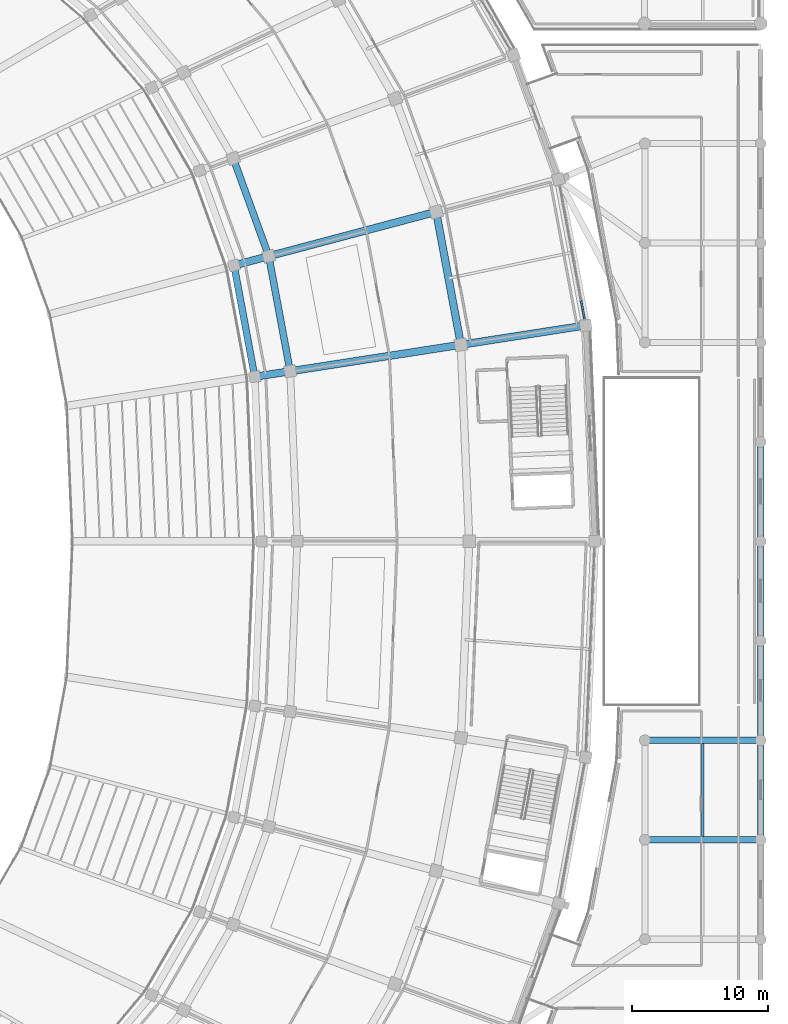
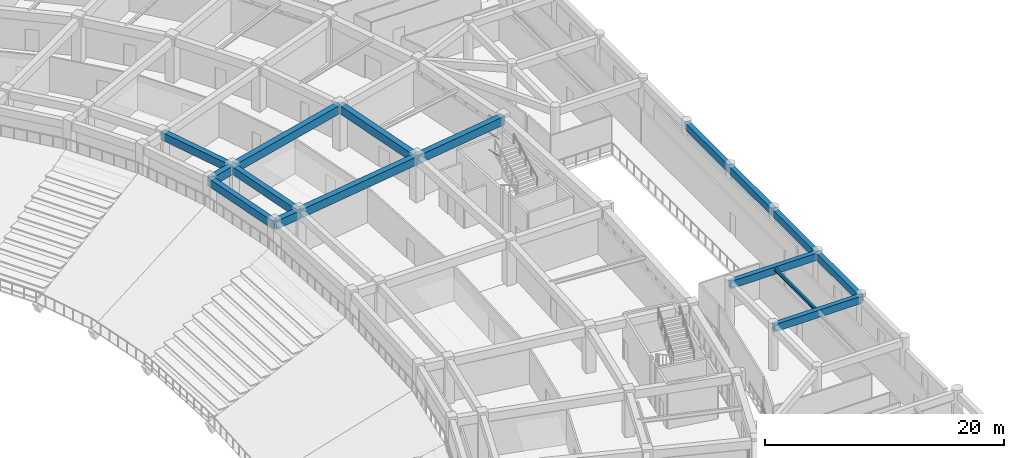
# One storey, part 50 of 152: 16 beams, 3 members, 1 element without a shape of its own.
"""IFC4 building model written with IfcOpenShell, lengths in metres."""

import ifcopenshell
import ifcopenshell.guid

model = None  # the IFC model being written
_history = None  # IfcOwnerHistory: only IFC2X3 demands one
_inside = {}  # id of a spatial element -> (the spatial element, [elements in it])
_under = {}  # id of a project, library or spatial element -> (it, [spatial elements below it])
_declared = {}  # id of a project -> (the project, [libraries it declares])
_typed = {}  # id of a type object -> (the type object, [elements of that type])
_made_of = {}  # id of a material, layer set ... -> (it, [elements and type objects made of it])


def new_model(schema):
    """Start an empty IFC model of exactly this schema.

    Asked for "IFC4X3", IfcOpenShell would pick the latest addendum, in which some entities
    have other attributes; the version numbers below select the first issue.
    IFC2X3 requires an IfcOwnerHistory on every rooted entity: one is made here for all.
    """
    global model, _history
    if schema == "IFC4X3":
        model = ifcopenshell.file(schema_version=(4, 3, 0, 0))
    else:
        model = ifcopenshell.file(schema=schema)
    _inside.clear()
    _under.clear()
    _declared.clear()
    _typed.clear()
    _made_of.clear()
    _history = None
    if model.schema == "IFC2X3":
        org = make("IfcOrganization", Name="unknown")
        user = make(
            "IfcPersonAndOrganization",
            ThePerson=make("IfcPerson", FamilyName="unknown"),
            TheOrganization=org,
        )
        app = make(
            "IfcApplication",
            ApplicationDeveloper=org,
            Version="unknown",
            ApplicationFullName="unknown",
            ApplicationIdentifier="unknown",
        )
        _history = make(
            "IfcOwnerHistory",
            OwningUser=user,
            OwningApplication=app,
            ChangeAction="ADDED",
            CreationDate=0,
        )
    return model


def make(cls, **values):
    """One entity of the class cls with the attributes given. An attribute that is None is left unset."""
    return model.create_entity(
        cls, **{name: value for name, value in values.items() if value is not None}
    )


def rooted(cls, **values):
    """An entity with a GlobalId (a new one), such as an element, a storey or a relation."""
    return make(cls, GlobalId=ifcopenshell.guid.new(), OwnerHistory=_history, **values)


def si_unit(unit_type, name, prefix=None):
    """IfcSIUnit, for example si_unit("LENGTHUNIT", "METRE", prefix="MILLI")."""
    return make("IfcSIUnit", UnitType=unit_type, Prefix=prefix, Name=name)


def assignment(units):
    """IfcUnitAssignment: the units of a project."""
    return None if units is None else make("IfcUnitAssignment", Units=units)


def point(xyz):
    """IfcCartesianPoint."""
    return None if xyz is None else make("IfcCartesianPoint", Coordinates=xyz)


def direction(xyz):
    """IfcDirection."""
    return None if xyz is None else make("IfcDirection", DirectionRatios=xyz)


def frame(location, z_axis=None, x_axis=None):
    """IfcAxis2Placement3D, a coordinate frame: its origin and axes. An axis left out is left unset."""
    return make(
        "IfcAxis2Placement3D",
        Location=point(location),
        Axis=direction(z_axis),
        RefDirection=direction(x_axis),
    )


def frame_2d(location, x_axis=None):
    """IfcAxis2Placement2D, a coordinate frame in the plane: its origin and x axis."""
    return make(
        "IfcAxis2Placement2D", Location=point(location), RefDirection=direction(x_axis)
    )


def origin():
    """The frame at (0, 0, 0) with its axes left unset."""
    return frame((0.0, 0.0, 0.0))


def origin_2d():
    """The frame at (0, 0) in the plane with its x axis left unset."""
    return frame_2d((0.0, 0.0))


def place(relative_to, where):
    """IfcLocalPlacement: puts the frame where relative to a parent placement (None: the world)."""
    return make(
        "IfcLocalPlacement", PlacementRelTo=relative_to, RelativePlacement=where
    )


def context(
    kind, dimensions, precision=None, world=None, true_north=None, identifier=None
):
    """IfcGeometricRepresentationContext, for example the 3D "Model" context."""
    return make(
        "IfcGeometricRepresentationContext",
        ContextIdentifier=identifier,
        ContextType=kind,
        CoordinateSpaceDimension=dimensions,
        Precision=precision,
        WorldCoordinateSystem=world,
        TrueNorth=true_north,
    )


def subcontext(parent, identifier, kind, view, scale=None):
    """IfcGeometricRepresentationSubContext, for example "Body" below "Model"."""
    return make(
        "IfcGeometricRepresentationSubContext",
        ContextIdentifier=identifier,
        ContextType=kind,
        ParentContext=parent,
        TargetScale=scale,
        TargetView=view,
    )


def project(units=None, contexts=None):
    """IfcProject with its units and contexts."""
    return rooted(
        "IfcProject",
        Name="project",
        RepresentationContexts=contexts,
        UnitsInContext=assignment(units),
    )


def spatial(cls, under=None, at=None, **own):
    """A site, building, storey or space (cls), placed at a placement, below another one or the project."""
    s = rooted(cls, ObjectPlacement=at, **own)
    if under is not None:
        _under.setdefault(under.id(), (under, []))[1].append(s)
    return s


def profile(cls, at=None, kind="AREA", **sizes):
    """A parametric profile (cls). Its sizes go by their IFC names, for example OverallWidth=200.0."""
    return make(cls, ProfileType=kind, Position=at, **sizes)


def rectangle(**sizes):
    """IfcRectangleProfileDef."""
    return profile("IfcRectangleProfileDef", **sizes)


def i_section(**sizes):
    """IfcIShapeProfileDef."""
    return profile("IfcIShapeProfileDef", **sizes)


def extrude(swept, where, along, depth):
    """IfcExtrudedAreaSolid: the profile swept, set in the frame where, extruded along a direction by depth."""
    return make(
        "IfcExtrudedAreaSolid",
        SweptArea=swept,
        Position=where,
        ExtrudedDirection=direction(along),
        Depth=depth,
    )


def shape(context_of_items, identifier, shape_type, items):
    """IfcShapeRepresentation: the items that make up one representation, for example the "Body"."""
    return make(
        "IfcShapeRepresentation",
        ContextOfItems=context_of_items,
        RepresentationIdentifier=identifier,
        RepresentationType=shape_type,
        Items=items,
    )


def material(Name=None, Category=None):
    """IfcMaterial."""
    return make("IfcMaterial", Name=Name, Category=Category)


def layer(
    of_material, thickness, ventilated=None, Name=None, Category=None, Priority=None
):
    """IfcMaterialLayer: one layer of a wall or slab, of a material (None: an air gap)."""
    return make(
        "IfcMaterialLayer",
        Material=of_material,
        LayerThickness=thickness,
        IsVentilated=ventilated,
        Name=Name,
        Category=Category,
        Priority=Priority,
    )


def layer_set(layers, Name=None):
    """IfcMaterialLayerSet."""
    return make("IfcMaterialLayerSet", MaterialLayers=layers, LayerSetName=Name)


def material_profile(
    of_material, cross_section, Name=None, Category=None, Priority=None
):
    """IfcMaterialProfile: a cross section and its material."""
    return make(
        "IfcMaterialProfile",
        Name=Name,
        Material=of_material,
        Profile=cross_section,
        Priority=Priority,
        Category=Category,
    )


def profile_set(profiles, Name=None, composite=None):
    """IfcMaterialProfileSet."""
    return make(
        "IfcMaterialProfileSet",
        Name=Name,
        MaterialProfiles=profiles,
        CompositeProfile=composite,
    )


def made_of(thing, what):
    """Note that an element or type object is made of a material, layer set ...; save() writes the relation."""
    if what is not None:
        _made_of.setdefault(what.id(), (what, []))[1].append(thing)
    return thing


def type_object(cls, material=None, **own):
    """A type object (cls), such as IfcWallType, which elements share."""
    return made_of(rooted(cls, **own), material)


def element(
    cls,
    number,
    at=None,
    inside=None,
    cuts=None,
    type_object=None,
    material=None,
    context=None,
    identifier="Body",
    shape_type=None,
    held_by="IfcProductDefinitionShape",
    body=None,
    shapes=None,
    **own,
):
    """One element of the class cls, such as IfcWall. Its Tag is "e" and its number.

    at: its placement. inside: the storey or other place that contains it. cuts: it is an
    opening in that element (IfcRelVoidsElement). A single representation is given by context,
    identifier, shape_type and body (its items); several are given by shapes. held_by: the class
    of the entity that holds the representations. save() writes the other relations.
    """
    e = rooted(cls, Tag="e%d" % number, ObjectPlacement=at, **own)
    if body is not None:
        shapes = [shape(context, identifier, shape_type, body)]
    if shapes is not None:
        e.Representation = make(held_by, Representations=shapes)
    if inside is not None:
        _inside.setdefault(inside.id(), (inside, []))[1].append(e)
    if cuts is not None:
        rooted(
            "IfcRelVoidsElement", RelatingBuildingElement=cuts, RelatedOpeningElement=e
        )
    if type_object is not None:
        _typed.setdefault(type_object.id(), (type_object, []))[1].append(e)
    return made_of(e, material)


def aggregate(whole, parts):
    """IfcRelAggregates: a whole, such as a stair, and the parts it consists of."""
    return rooted("IfcRelAggregates", RelatingObject=whole, RelatedObjects=parts)


def save(model, path):
    """Write the relations noted so far, then the file.

    IfcRelAggregates (storeys below a building ...), IfcRelContainedInSpatialStructure (elements
    in a storey), IfcRelDefinesByType, IfcRelAssociatesMaterial and IfcRelDeclares: one each for
    every whole, place, type object, material and project.
    """
    for whole, parts in _under.values():
        aggregate(whole, parts)
    for where, things in _inside.values():
        rooted(
            "IfcRelContainedInSpatialStructure",
            RelatedElements=things,
            RelatingStructure=where,
        )
    for kind, things in _typed.values():
        rooted("IfcRelDefinesByType", RelatedObjects=things, RelatingType=kind)
    for what, things in _made_of.values():
        rooted("IfcRelAssociatesMaterial", RelatedObjects=things, RelatingMaterial=what)
    for by, libraries in _declared.values():
        rooted("IfcRelDeclares", RelatingContext=by, RelatedDefinitions=libraries)
    model.write(path)


model = new_model("IFC4")

# Units and contexts
model_context = context("Model", 3, precision=1e-05, world=origin(), true_north=direction((0.0, 1.0)))
body_context = subcontext(model_context, "Body", "Model", "MODEL_VIEW")
ifc_project = project(units=[si_unit("LENGTHUNIT", "METRE"), si_unit("AREAUNIT", "SQUARE_METRE"), si_unit("VOLUMEUNIT", "CUBIC_METRE"), si_unit("PLANEANGLEUNIT", "RADIAN"), si_unit("MASSUNIT", "GRAM", prefix="KILO")], contexts=[model_context])

# Site, building, storey
site_placement = place(None, origin())
site = spatial("IfcSite", under=ifc_project, at=site_placement, CompositionType="ELEMENT")
building_placement = place(site_placement, origin())
building = spatial("IfcBuilding", under=site, at=building_placement, Name="Mphavela Belvedere Stadium", CompositionType="ELEMENT")
storey_placement = place(building_placement, frame((0.0, 0.0, 5.39990234375)))
storey = spatial("IfcBuildingStorey", under=building, at=storey_placement, Name="L01", CompositionType="ELEMENT", Elevation=5.39990234375)

# Beams
ifc_material_1 = material(Name="Steel S355", Category="steel")
ifc_material_profile_1 = material_profile(ifc_material_1, i_section(OverallWidth=0.169921875, OverallDepth=0.360107421875, WebThickness=0.008056640625, FlangeThickness=0.0126953125, at=origin_2d()), Name="IPE 360")
ifc_profile_set_1 = profile_set([ifc_material_profile_1], Name="Steel S355")
beam_type_1 = type_object("IfcBeamType", Name="BM-JOIST-IPE360", PredefinedType="JOIST", material=ifc_profile_set_1)
beam_1_placement = place(storey_placement, frame((225.75, 65.324951171875, 4.360107421875), z_axis=(0.0, 1.0, 0.0), x_axis=(-1.0, 0.0, 0.0)))
element("IfcBeam", 1, at=beam_1_placement, inside=storey, type_object=beam_type_1, Name="East Planted Eaves Peristyle Colonnade secondary joist L01 8-3", PredefinedType="JOIST", context=body_context, shape_type="SweptSolid", body=[
    extrude(i_section(OverallWidth=0.169921875, OverallDepth=0.360107421875, WebThickness=0.008056640625, FlangeThickness=0.0126953125, at=origin_2d()), origin(), (0.0, 0.0, 1.0), 6.85009765625),
])
ifc_material_2 = material(Name="Concrete C40/50", Category="concrete")
ifc_material_profile_2 = material_profile(ifc_material_2, rectangle(XDim=0.449951171875, YDim=0.75, at=origin_2d()), Name="RC 450x750")
ifc_profile_set_2 = profile_set([ifc_material_profile_2], Name="Concrete C40/50")
beam_type_2 = type_object("IfcBeamType", Name="BM-RC450x750", PredefinedType="BEAM", material=ifc_profile_set_2)
for number, where, z_axis, x_axis, name in (
    (2, (221.5, 65.10009765625, 4.1650390625), (1.0, 0.0, 0.0), (0.0, 1.0, 0.0), "East Planted Eaves Peristyle Colonnade entablature beam X L01 8-3"),
    (3, (221.5, 72.39990234375, 4.1650390625), (1.0, 0.0, 0.0), (0.0, 1.0, 0.0), "East Planted Eaves Peristyle Colonnade entablature beam X L01 8-4"),
):
    element("IfcBeam", number, at=place(storey_placement, frame(where, z_axis=z_axis, x_axis=x_axis)), inside=storey, type_object=beam_type_2, Name=name, PredefinedType="BEAM", context=body_context, shape_type="SweptSolid", body=[
        extrude(rectangle(XDim=0.449951171875, YDim=0.75, at=origin_2d()), origin(), (0.0, 0.0, 1.0), 8.5),
    ])
beam_2_placement = place(storey_placement, frame((230.0, 65.10009765625, 4.1650390625), z_axis=(0.0, 1.0, 0.0), x_axis=(-1.0, 0.0, 0.0)))
element("IfcBeam", 4, at=beam_2_placement, inside=storey, type_object=beam_type_2, Name="East Planted Eaves Peristyle Colonnade entablature beam Y L01 9-3", PredefinedType="BEAM", context=body_context, shape_type="SweptSolid", body=[
    extrude(rectangle(XDim=0.449951171875, YDim=0.75, at=origin_2d()), origin(), (0.0, 0.0, 1.0), 7.2998046875),
])
for number, where, z_axis, x_axis, name in (
    (5, (230.0, 72.39990234375, 4.1650390625), (0.0, 1.0, 0.0), (-1.0, 0.0, 0.0), "East Planted Eaves Peristyle Colonnade entablature beam Y L01 9-4"),
    (6, (230.0, 79.699951171875, 4.1650390625), (0.0, 1.0, 0.0), (-1.0, 0.0, 0.0), "East Planted Eaves Peristyle Colonnade entablature beam Y L01 9-5"),
    (7, (230.0, 87.0, 4.1650390625), (0.0, 1.0, 0.0), (-1.0, 0.0, 0.0), "East Planted Eaves Peristyle Colonnade entablature beam Y L01 9-6"),
):
    element("IfcBeam", number, at=place(storey_placement, frame(where, z_axis=z_axis, x_axis=x_axis)), inside=storey, type_object=beam_type_2, Name=name, PredefinedType="BEAM", context=body_context, shape_type="SweptSolid", body=[
        extrude(rectangle(XDim=0.449951171875, YDim=0.75, at=origin_2d()), origin(), (0.0, 0.0, 1.0), 7.300048828125),
    ])
ifc_material_3 = material(Name="Concrete C40/50", Category="concrete")
ifc_material_profile_3 = material_profile(ifc_material_3, rectangle(XDim=0.5, YDim=0.800048828125, at=origin_2d()), Name="RC 500x800")
ifc_profile_set_3 = profile_set([ifc_material_profile_3], Name="Concrete C40/50")
beam_type_3 = type_object("IfcBeamType", Name="BM-RC500x800", PredefinedType="BEAM", material=ifc_profile_set_3)
beam_3_placement = place(storey_placement, frame((192.869384765625, 99.078125, 4.150146484375), z_axis=(-0.182638448973, 0.983180144712, 0.0), x_axis=(-0.983180144712, -0.182638448973, 0.0)))
element("IfcBeam", 8, at=beam_3_placement, inside=storey, type_object=beam_type_3, Name="Circumferential girder L01 R1-02", PredefinedType="BEAM", context=body_context, shape_type="SweptSolid", body=[
    extrude(rectangle(XDim=0.5, YDim=0.800048828125, at=origin_2d()), origin(), (0.0, 0.0, 1.0), 8.30908203125),
])
beam_4_placement = place(storey_placement, frame((195.471435546875, 99.481689453125, 4.150146484375), z_axis=(-0.182614573179, 0.983184579651, 0.0), x_axis=(-0.983184579651, -0.182614573179, 0.0)))
element("IfcBeam", 9, at=beam_4_placement, inside=storey, type_object=beam_type_3, Name="Circumferential girder L01 R2-02", PredefinedType="BEAM", context=body_context, shape_type="SweptSolid", body=[
    extrude(rectangle(XDim=0.5, YDim=0.800048828125, at=origin_2d()), origin(), (0.0, 0.0, 1.0), 8.5869140625),
])
beam_5_placement = place(storey_placement, frame((193.9033203125, 107.92431640625, 4.150146484375), z_axis=(-0.341037560831, 0.940049670019, 0.0), x_axis=(-0.940049670019, -0.341037560831, 0.0)))
element("IfcBeam", 10, at=beam_5_placement, inside=storey, type_object=beam_type_3, Name="Circumferential girder L01 R2-03", PredefinedType="BEAM", context=body_context, shape_type="SweptSolid", body=[
    extrude(rectangle(XDim=0.5, YDim=0.800048828125, at=origin_2d()), origin(), (0.0, 0.0, 1.0), 7.64208984375),
])
ifc_material_4 = material(Name="Concrete C40/50", Category="concrete")
ifc_material_profile_4 = material_profile(ifc_material_4, rectangle(XDim=0.550048828125, YDim=0.85009765625, at=origin_2d()), Name="RC 550x850")
ifc_profile_set_4 = profile_set([ifc_material_profile_4], Name="Concrete C40/50")
beam_type_4 = type_object("IfcBeamType", Name="BM-RC550x850", PredefinedType="BEAM", material=ifc_profile_set_4)
beam_6_placement = place(storey_placement, frame((208.0, 101.4248046875, 4.125), z_axis=(-0.182638056683, 0.983180217585, 0.0), x_axis=(-0.983180217585, -0.182638056683, 0.0)))
element("IfcBeam", 11, at=beam_6_placement, inside=storey, type_object=beam_type_4, Name="Circumferential girder L01 R3-02", PredefinedType="BEAM", context=body_context, shape_type="SweptSolid", body=[
    extrude(rectangle(XDim=0.550048828125, YDim=0.85009765625, at=origin_2d()), origin(), (0.0, 0.0, 1.0), 9.924072265625),
])
beam_7_placement = place(storey_placement, frame((192.869384765625, 99.078125, 4.125), z_axis=(0.988185527241, 0.153262401626, 0.0), x_axis=(-0.153262401626, 0.988185527241, 0.0)))
element("IfcBeam", 12, at=beam_7_placement, inside=storey, type_object=beam_type_4, Name="Radial concourse girder L01 R1R2-02", PredefinedType="BEAM", context=body_context, shape_type="SweptSolid", body=[
    extrude(rectangle(XDim=0.550048828125, YDim=0.85009765625, at=origin_2d()), origin(), (0.0, 0.0, 1.0), 2.633056640625),
])
beam_8_placement = place(storey_placement, frame((195.471435546875, 99.481689453125, 4.125), z_axis=(0.988185521494, 0.153262438677, 0.0), x_axis=(-0.153262438677, 0.988185521494, 0.0)))
element("IfcBeam", 13, at=beam_8_placement, inside=storey, type_object=beam_type_4, Name="Radial concourse girder L01 R2R3-02", PredefinedType="BEAM", context=body_context, shape_type="SweptSolid", body=[
    extrude(rectangle(XDim=0.550048828125, YDim=0.85009765625, at=origin_2d()), origin(), (0.0, 0.0, 1.0), 12.678466796875),
])
beam_9_placement = place(storey_placement, frame((208.0, 101.4248046875, 4.125), z_axis=(0.988182369303, 0.153282761586, 0.0), x_axis=(-0.153282761586, 0.988182369303, 0.0)))
element("IfcBeam", 14, at=beam_9_placement, inside=storey, type_object=beam_type_4, Name="Radial concourse girder L01 R3R4-02", PredefinedType="BEAM", context=body_context, shape_type="SweptSolid", body=[
    extrude(rectangle(XDim=0.550048828125, YDim=0.85009765625, at=origin_2d()), origin(), (0.0, 0.0, 1.0), 9.264892578125),
])
beam_10_placement = place(storey_placement, frame((191.351806640625, 107.24755859375, 4.125), z_axis=(0.966577929986, 0.25637298076, 0.0), x_axis=(-0.25637298076, 0.966577929986, 0.0)))
element("IfcBeam", 15, at=beam_10_placement, inside=storey, type_object=beam_type_4, Name="Radial concourse girder L01 R1R2-03", PredefinedType="BEAM", context=body_context, shape_type="SweptSolid", body=[
    extrude(rectangle(XDim=0.550048828125, YDim=0.85009765625, at=origin_2d()), origin(), (0.0, 0.0, 1.0), 2.6396484375),
])
beam_11_placement = place(storey_placement, frame((193.9033203125, 107.92431640625, 4.125), z_axis=(0.966590800726, 0.256324450554, 0.0), x_axis=(-0.256324450554, 0.966590800726, 0.0)))
element("IfcBeam", 16, at=beam_11_placement, inside=storey, type_object=beam_type_4, Name="Radial concourse girder L01 R2R3-03", PredefinedType="BEAM", context=body_context, shape_type="SweptSolid", body=[
    extrude(rectangle(XDim=0.550048828125, YDim=0.85009765625, at=origin_2d()), origin(), (0.0, 0.0, 1.0), 12.708740234375),
])

# Curtain wall, members
ifc_material_5 = material(Name="Anodised bronze unitised curtain wall framing")
ifc_layer = layer(ifc_material_5, 0.179931640625)
ifc_layer_set = layer_set([ifc_layer], Name="Anodised bronze unitised curtain wall framing")
curtain_wall_type = type_object("IfcCurtainWallType", Name="CW-UNIT-01", PredefinedType="USERDEFINED", material=ifc_layer_set)
curtain_wall_placement = place(storey_placement, origin())
curtain_wall = element("IfcCurtainWall", 17, at=curtain_wall_placement, inside=storey, type_object=curtain_wall_type, Name="Belvedere colonnade curtain wall L01-02", ObjectType="UNITISED CURTAIN WALL", PredefinedType="USERDEFINED")
ifc_material_6 = material(Name="Anodised bronze extruded aluminium", Category="aluminium")
ifc_material_profile_5 = material_profile(ifc_material_6, rectangle(XDim=0.139892578125, YDim=0.06005859375, at=origin_2d()), Name="CW-TRN 140x60")
ifc_profile_set_5 = profile_set([ifc_material_profile_5], Name="Anodised bronze extruded aluminium")
member_type = type_object("IfcMemberType", Name="CWT-140x60", PredefinedType="USERDEFINED", material=ifc_profile_set_5)
member_1_placement = place(storey_placement, frame((217.066162109375, 103.32470703125, 0.030029296875), z_axis=(-0.182526723568, 0.983200892587, 0.0), x_axis=(-0.983200892587, -0.182526723568, 0.0)))
member_1 = element("IfcMember", 18, at=member_1_placement, type_object=member_type, Name="CW-01 transom 1.1", ObjectType="TRANSOM", PredefinedType="USERDEFINED", context=body_context, shape_type="SweptSolid", body=[
    extrude(rectangle(XDim=0.139892578125, YDim=0.06005859375, at=origin_2d()), origin(), (0.0, 0.0, 1.0), 1.3388671875),
])
member_2_placement = place(storey_placement, frame((217.066162109375, 103.32470703125, 1.78515625), z_axis=(-0.182526723568, 0.983200892587, 0.0), x_axis=(-0.983200892587, -0.182526723568, 0.0)))
member_2 = element("IfcMember", 19, at=member_2_placement, type_object=member_type, Name="CW-01 transom 1.2", ObjectType="TRANSOM", PredefinedType="USERDEFINED", context=body_context, shape_type="SweptSolid", body=[
    extrude(rectangle(XDim=0.139892578125, YDim=0.06005859375, at=origin_2d()), origin(), (0.0, 0.0, 1.0), 1.3388671875),
])
member_3_placement = place(storey_placement, frame((217.066162109375, 103.32470703125, 3.5400390625), z_axis=(-0.182526723568, 0.983200892587, 0.0), x_axis=(-0.983200892587, -0.182526723568, 0.0)))
member_3 = element("IfcMember", 20, at=member_3_placement, type_object=member_type, Name="CW-01 transom 1.3", ObjectType="TRANSOM", PredefinedType="USERDEFINED", context=body_context, shape_type="SweptSolid", body=[
    extrude(rectangle(XDim=0.139892578125, YDim=0.06005859375, at=origin_2d()), origin(), (0.0, 0.0, 1.0), 1.3388671875),
])
aggregate(curtain_wall, [member_1, member_2, member_3])

save(model, "model.ifc")
